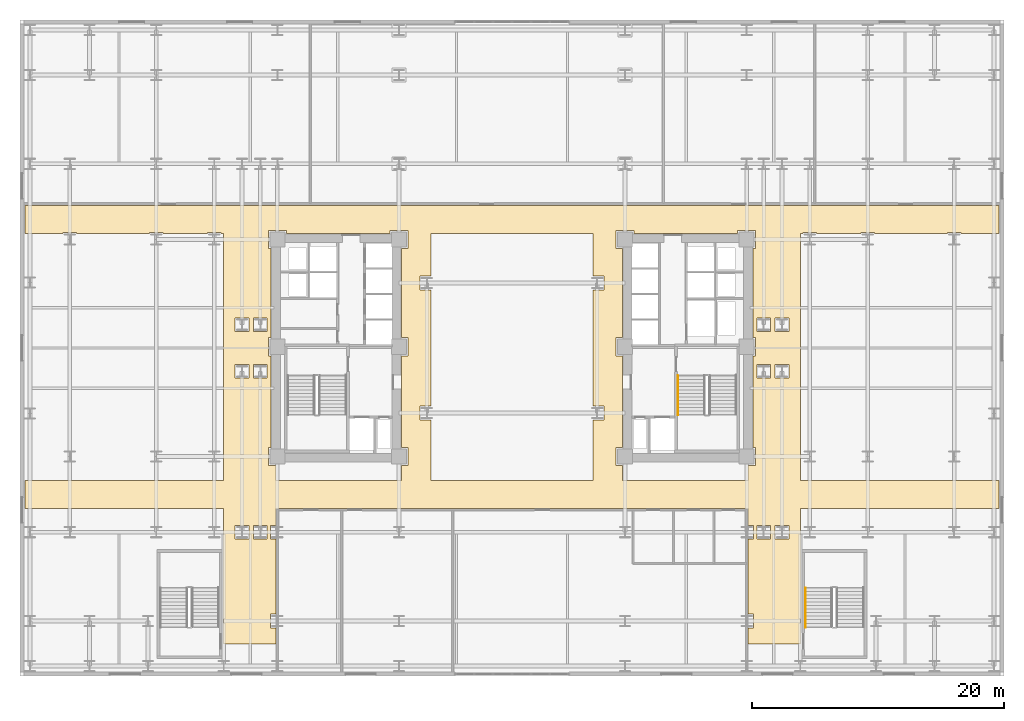
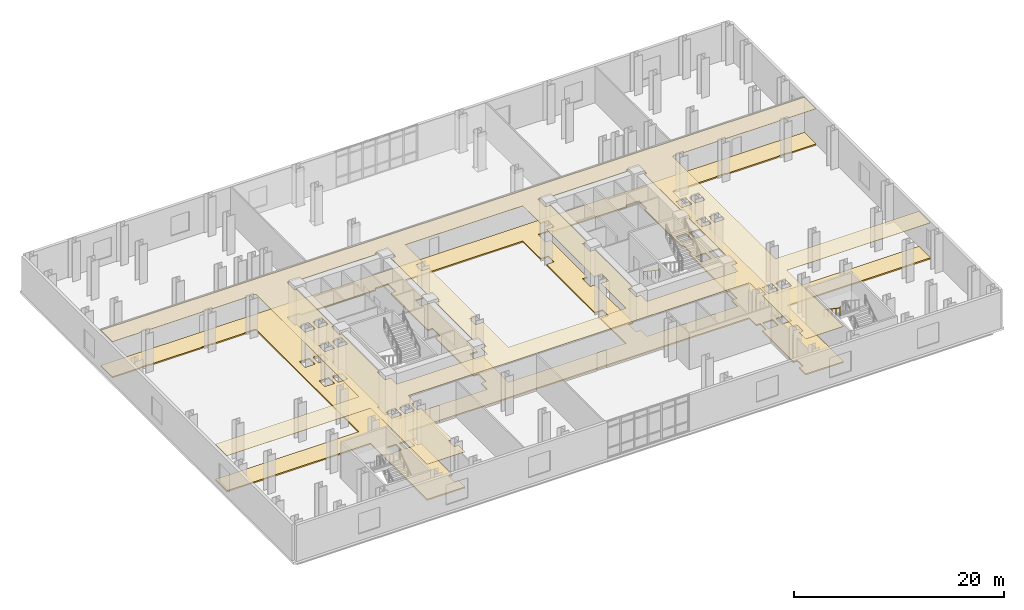
# One storey, part 13 of 15: 2 coverings, 2 railings.
"""IFC4 building model written with IfcOpenShell, lengths in metres."""

from ifc_helpers import new_model, si_unit, direction, frame, origin, origin_2d, place, context, subcontext, project, spatial, polyline, circle, outline, extrude, material, layer, layer_set, type_object, element, save


model = new_model("IFC4")

# Units and contexts
model_context = context("Model", 3, precision=1e-05, world=origin(), true_north=direction((0.0, 1.0)))
body_context = subcontext(model_context, "Body", "Model", "MODEL_VIEW")
ifc_project = project(units=[si_unit("LENGTHUNIT", "METRE"), si_unit("AREAUNIT", "SQUARE_METRE"), si_unit("VOLUMEUNIT", "CUBIC_METRE"), si_unit("PLANEANGLEUNIT", "RADIAN"), si_unit("MASSUNIT", "GRAM", prefix="KILO")], contexts=[model_context])

# Site, building, storey
site_placement = place(None, origin())
site = spatial("IfcSite", under=ifc_project, at=site_placement, CompositionType="ELEMENT")
building_placement = place(site_placement, origin())
building = spatial("IfcBuilding", under=site, at=building_placement, Name="Velakula Bourse", CompositionType="ELEMENT")
storey_placement = place(building_placement, frame((0.0, 0.0, 14.10009765625)))
storey = spatial("IfcBuildingStorey", under=building, at=storey_placement, Name="L03", CompositionType="ELEMENT", Elevation=14.10009765625)

# Coverings
ifc_material_1 = material(Name="Mineral-fibre acoustic suspended ceiling tile", Category="mineral")
ifc_layer_1 = layer(ifc_material_1, 0.0400390625, Name="Mineral-fibre acoustic suspended ceiling tile", Category="mineral")
ifc_layer_set_1 = layer_set([ifc_layer_1], Name="Mineral-fibre acoustic suspended ceiling tile")
covering_type_1 = type_object("IfcCoveringType", Name="COV-CEIL-AC-40", PredefinedType="CEILING", material=ifc_layer_set_1)
covering_1_placement = place(storey_placement, frame((0.0, 0.0, 4.179931640625)))
element("IfcCovering", 1, at=covering_1_placement, inside=storey, type_object=covering_type_1, Name="L03 L03 Station Podium Concourse Corridor Acoustic Suspended Ceiling", PredefinedType="CEILING", context=body_context, shape_type="SweptSolid", body=[
    extrude(outline(polyline([(-22.860107421875, -10.489990234375), (-22.860107421875, 9.090087890625), (-23.054931640625, 9.090087890625), (-23.054931640625, 9.14501953125), (-24.14501953125, 9.14501953125), (-24.14501953125, 9.090087890625), (-27.655029296875, 9.090087890625), (-27.655029296875, 9.14501953125), (-28.7451171875, 9.14501953125), (-28.7451171875, 9.090087890625), (-34.5048828125, 9.090087890625), (-34.5048828125, 9.14501953125), (-35.594970703125, 9.14501953125), (-35.594970703125, 9.090087890625), (-38.6201171875, 9.090087890625), (-38.6201171875, 11.31005859375), (38.6201171875, 11.31005859375), (38.6201171875, 9.090087890625), (35.594970703125, 9.090087890625), (35.594970703125, 9.14501953125), (34.5048828125, 9.14501953125), (34.5048828125, 9.090087890625), (28.7451171875, 9.090087890625), (28.7451171875, 9.14501953125), (27.655029296875, 9.14501953125), (27.655029296875, 9.090087890625), (24.14501953125, 9.090087890625), (24.14501953125, 9.14501953125), (23.054931640625, 9.14501953125), (23.054931640625, 9.090087890625), (22.860107421875, 9.090087890625), (22.860107421875, -10.489990234375), (38.6201171875, -10.489990234375), (38.6201171875, -12.7099609375), (22.860107421875, -12.7099609375), (22.860107421875, -23.4599609375), (18.7099609375, -23.4599609375), (18.7099609375, -22.195068359375), (19.14501953125, -22.195068359375), (19.14501953125, -21.10498046875), (18.7099609375, -21.10498046875), (18.7099609375, -15.14501953125), (19.14501953125, -15.14501953125), (19.14501953125, -14.054931640625), (18.7099609375, -14.054931640625), (18.7099609375, -12.7099609375), (-18.7099609375, -12.7099609375), (-18.7099609375, -14.054931640625), (-19.14501953125, -14.054931640625), (-19.14501953125, -15.14501953125), (-18.7099609375, -15.14501953125), (-18.7099609375, -21.10498046875), (-19.14501953125, -21.10498046875), (-19.14501953125, -22.195068359375), (-18.7099609375, -22.195068359375), (-18.7099609375, -23.4599609375), (-22.860107421875, -23.4599609375), (-22.860107421875, -12.7099609375), (-38.6201171875, -12.7099609375), (-38.6201171875, -10.489990234375), (-22.860107421875, -10.489990234375)]), holes=[polyline([(19.090087890625, -0.6201171875), (19.320068359375, -0.6201171875), (19.320068359375, 0.820068359375), (19.090087890625, 0.820068359375), (19.090087890625, 7.8798828125), (19.320068359375, 7.8798828125), (19.320068359375, 9.320068359375), (17.8798828125, 9.320068359375), (17.8798828125, 9.090087890625), (9.669921875, 9.090087890625), (9.669921875, 9.320068359375), (8.22998046875, 9.320068359375), (8.22998046875, 7.8798828125), (8.760009765625, 7.8798828125), (8.760009765625, 0.820068359375), (8.22998046875, 0.820068359375), (8.22998046875, -0.6201171875), (8.760009765625, -0.6201171875), (8.760009765625, -7.8798828125), (8.22998046875, -7.8798828125), (8.22998046875, -9.320068359375), (8.760009765625, -9.320068359375), (8.760009765625, -10.489990234375), (18.7099609375, -10.489990234375), (18.7099609375, -9.320068359375), (19.320068359375, -9.320068359375), (19.320068359375, -7.8798828125), (19.090087890625, -7.8798828125), (19.090087890625, -0.6201171875)]), polyline([(-6.43994140625, 9.090087890625), (-6.43994140625, 5.695068359375), (-7.294921875, 5.695068359375), (-7.294921875, 4.60498046875), (-6.43994140625, 4.60498046875), (-6.43994140625, -4.60498046875), (-7.294921875, -4.60498046875), (-7.294921875, -5.695068359375), (-6.43994140625, -5.695068359375), (-6.43994140625, -10.489990234375), (6.43994140625, -10.489990234375), (6.43994140625, -5.695068359375), (7.294921875, -5.695068359375), (7.294921875, -4.60498046875), (6.43994140625, -4.60498046875), (6.43994140625, 4.60498046875), (7.294921875, 4.60498046875), (7.294921875, 5.695068359375), (6.43994140625, 5.695068359375), (6.43994140625, 9.090087890625), (-6.43994140625, 9.090087890625)]), polyline([(-17.8798828125, 9.090087890625), (-17.8798828125, 9.320068359375), (-19.320068359375, 9.320068359375), (-19.320068359375, 7.8798828125), (-19.090087890625, 7.8798828125), (-19.090087890625, 0.820068359375), (-19.320068359375, 0.820068359375), (-19.320068359375, -0.6201171875), (-19.090087890625, -0.6201171875), (-19.090087890625, -7.8798828125), (-19.320068359375, -7.8798828125), (-19.320068359375, -9.320068359375), (-18.7099609375, -9.320068359375), (-18.7099609375, -10.489990234375), (-8.760009765625, -10.489990234375), (-8.760009765625, -9.320068359375), (-8.22998046875, -9.320068359375), (-8.22998046875, -7.8798828125), (-8.760009765625, -7.8798828125), (-8.760009765625, -0.6201171875), (-8.22998046875, -0.6201171875), (-8.22998046875, 0.820068359375), (-8.760009765625, 0.820068359375), (-8.760009765625, 7.8798828125), (-8.22998046875, 7.8798828125), (-8.22998046875, 9.320068359375), (-9.669921875, 9.320068359375), (-9.669921875, 9.090087890625), (-17.8798828125, 9.090087890625)]), polyline([(-21.945068359375, -14.054931640625), (-21.945068359375, -15.14501953125), (-20.85498046875, -15.14501953125), (-20.85498046875, -14.054931640625), (-21.945068359375, -14.054931640625)]), polyline([(-20.4951171875, -14.054931640625), (-20.4951171875, -15.14501953125), (-19.405029296875, -15.14501953125), (-19.405029296875, -14.054931640625), (-20.4951171875, -14.054931640625)]), polyline([(-20.4951171875, -1.304931640625), (-20.4951171875, -2.39501953125), (-19.405029296875, -2.39501953125), (-19.405029296875, -1.304931640625), (-20.4951171875, -1.304931640625)]), polyline([(-21.945068359375, -2.39501953125), (-20.85498046875, -2.39501953125), (-20.85498046875, -1.304931640625), (-21.945068359375, -1.304931640625), (-21.945068359375, -2.39501953125)]), polyline([(-20.4951171875, 2.39501953125), (-20.4951171875, 1.304931640625), (-19.405029296875, 1.304931640625), (-19.405029296875, 2.39501953125), (-20.4951171875, 2.39501953125)]), polyline([(-21.945068359375, 2.39501953125), (-21.945068359375, 1.304931640625), (-20.85498046875, 1.304931640625), (-20.85498046875, 2.39501953125), (-21.945068359375, 2.39501953125)]), polyline([(19.405029296875, -14.054931640625), (19.405029296875, -15.14501953125), (20.4951171875, -15.14501953125), (20.4951171875, -14.054931640625), (19.405029296875, -14.054931640625)]), polyline([(20.85498046875, -14.054931640625), (20.85498046875, -15.14501953125), (21.945068359375, -15.14501953125), (21.945068359375, -14.054931640625), (20.85498046875, -14.054931640625)]), polyline([(19.405029296875, -1.304931640625), (19.405029296875, -2.39501953125), (20.4951171875, -2.39501953125), (20.4951171875, -1.304931640625), (19.405029296875, -1.304931640625)]), polyline([(20.85498046875, -1.304931640625), (20.85498046875, -2.39501953125), (21.945068359375, -2.39501953125), (21.945068359375, -1.304931640625), (20.85498046875, -1.304931640625)]), polyline([(20.85498046875, 2.39501953125), (20.85498046875, 1.304931640625), (21.945068359375, 1.304931640625), (21.945068359375, 2.39501953125), (20.85498046875, 2.39501953125)]), polyline([(19.405029296875, 2.39501953125), (19.405029296875, 1.304931640625), (20.4951171875, 1.304931640625), (20.4951171875, 2.39501953125), (19.405029296875, 2.39501953125)])]), origin(), (0.0, 0.0, 1.0), 0.0400390625),
])
ifc_material_2 = material(Name="Calcium-sulphate antistatic raised access flooring", Category="gypsum")
ifc_layer_2 = layer(ifc_material_2, 0.14990234375, Name="Calcium-sulphate antistatic raised access flooring", Category="gypsum")
ifc_layer_set_2 = layer_set([ifc_layer_2], Name="Calcium-sulphate antistatic raised access flooring")
covering_type_2 = type_object("IfcCoveringType", Name="COV-FLR-RAISED-150", PredefinedType="FLOORING", material=ifc_layer_set_2)
covering_2_placement = place(storey_placement, origin())
element("IfcCovering", 2, at=covering_2_placement, inside=storey, type_object=covering_type_2, Name="L03 L03 Station Podium Concourse Corridor Raised Trading Access Floor", PredefinedType="FLOORING", context=body_context, shape_type="SweptSolid", body=[
    extrude(outline(polyline([(-22.860107421875, -10.489990234375), (-22.860107421875, 9.090087890625), (-23.054931640625, 9.090087890625), (-23.054931640625, 9.14501953125), (-24.14501953125, 9.14501953125), (-24.14501953125, 9.090087890625), (-27.655029296875, 9.090087890625), (-27.655029296875, 9.14501953125), (-28.7451171875, 9.14501953125), (-28.7451171875, 9.090087890625), (-34.5048828125, 9.090087890625), (-34.5048828125, 9.14501953125), (-35.594970703125, 9.14501953125), (-35.594970703125, 9.090087890625), (-38.6201171875, 9.090087890625), (-38.6201171875, 11.31005859375), (38.6201171875, 11.31005859375), (38.6201171875, 9.090087890625), (35.594970703125, 9.090087890625), (35.594970703125, 9.14501953125), (34.5048828125, 9.14501953125), (34.5048828125, 9.090087890625), (28.7451171875, 9.090087890625), (28.7451171875, 9.14501953125), (27.655029296875, 9.14501953125), (27.655029296875, 9.090087890625), (24.14501953125, 9.090087890625), (24.14501953125, 9.14501953125), (23.054931640625, 9.14501953125), (23.054931640625, 9.090087890625), (22.860107421875, 9.090087890625), (22.860107421875, -10.489990234375), (38.6201171875, -10.489990234375), (38.6201171875, -12.7099609375), (22.860107421875, -12.7099609375), (22.860107421875, -23.4599609375), (18.7099609375, -23.4599609375), (18.7099609375, -22.195068359375), (19.14501953125, -22.195068359375), (19.14501953125, -21.10498046875), (18.7099609375, -21.10498046875), (18.7099609375, -15.14501953125), (19.14501953125, -15.14501953125), (19.14501953125, -14.054931640625), (18.7099609375, -14.054931640625), (18.7099609375, -12.7099609375), (-18.7099609375, -12.7099609375), (-18.7099609375, -14.054931640625), (-19.14501953125, -14.054931640625), (-19.14501953125, -15.14501953125), (-18.7099609375, -15.14501953125), (-18.7099609375, -21.10498046875), (-19.14501953125, -21.10498046875), (-19.14501953125, -22.195068359375), (-18.7099609375, -22.195068359375), (-18.7099609375, -23.4599609375), (-22.860107421875, -23.4599609375), (-22.860107421875, -12.7099609375), (-38.6201171875, -12.7099609375), (-38.6201171875, -10.489990234375), (-22.860107421875, -10.489990234375)]), holes=[polyline([(19.090087890625, -0.6201171875), (19.320068359375, -0.6201171875), (19.320068359375, 0.820068359375), (19.090087890625, 0.820068359375), (19.090087890625, 7.8798828125), (19.320068359375, 7.8798828125), (19.320068359375, 9.320068359375), (17.8798828125, 9.320068359375), (17.8798828125, 9.090087890625), (9.669921875, 9.090087890625), (9.669921875, 9.320068359375), (8.22998046875, 9.320068359375), (8.22998046875, 7.8798828125), (8.760009765625, 7.8798828125), (8.760009765625, 0.820068359375), (8.22998046875, 0.820068359375), (8.22998046875, -0.6201171875), (8.760009765625, -0.6201171875), (8.760009765625, -7.8798828125), (8.22998046875, -7.8798828125), (8.22998046875, -9.320068359375), (8.760009765625, -9.320068359375), (8.760009765625, -10.489990234375), (18.7099609375, -10.489990234375), (18.7099609375, -9.320068359375), (19.320068359375, -9.320068359375), (19.320068359375, -7.8798828125), (19.090087890625, -7.8798828125), (19.090087890625, -0.6201171875)]), polyline([(-6.43994140625, 9.090087890625), (-6.43994140625, 5.695068359375), (-7.294921875, 5.695068359375), (-7.294921875, 4.60498046875), (-6.43994140625, 4.60498046875), (-6.43994140625, -4.60498046875), (-7.294921875, -4.60498046875), (-7.294921875, -5.695068359375), (-6.43994140625, -5.695068359375), (-6.43994140625, -10.489990234375), (6.43994140625, -10.489990234375), (6.43994140625, -5.695068359375), (7.294921875, -5.695068359375), (7.294921875, -4.60498046875), (6.43994140625, -4.60498046875), (6.43994140625, 4.60498046875), (7.294921875, 4.60498046875), (7.294921875, 5.695068359375), (6.43994140625, 5.695068359375), (6.43994140625, 9.090087890625), (-6.43994140625, 9.090087890625)]), polyline([(-17.8798828125, 9.090087890625), (-17.8798828125, 9.320068359375), (-19.320068359375, 9.320068359375), (-19.320068359375, 7.8798828125), (-19.090087890625, 7.8798828125), (-19.090087890625, 0.820068359375), (-19.320068359375, 0.820068359375), (-19.320068359375, -0.6201171875), (-19.090087890625, -0.6201171875), (-19.090087890625, -7.8798828125), (-19.320068359375, -7.8798828125), (-19.320068359375, -9.320068359375), (-18.7099609375, -9.320068359375), (-18.7099609375, -10.489990234375), (-8.760009765625, -10.489990234375), (-8.760009765625, -9.320068359375), (-8.22998046875, -9.320068359375), (-8.22998046875, -7.8798828125), (-8.760009765625, -7.8798828125), (-8.760009765625, -0.6201171875), (-8.22998046875, -0.6201171875), (-8.22998046875, 0.820068359375), (-8.760009765625, 0.820068359375), (-8.760009765625, 7.8798828125), (-8.22998046875, 7.8798828125), (-8.22998046875, 9.320068359375), (-9.669921875, 9.320068359375), (-9.669921875, 9.090087890625), (-17.8798828125, 9.090087890625)]), polyline([(-21.945068359375, -14.054931640625), (-21.945068359375, -15.14501953125), (-20.85498046875, -15.14501953125), (-20.85498046875, -14.054931640625), (-21.945068359375, -14.054931640625)]), polyline([(-20.4951171875, -14.054931640625), (-20.4951171875, -15.14501953125), (-19.405029296875, -15.14501953125), (-19.405029296875, -14.054931640625), (-20.4951171875, -14.054931640625)]), polyline([(-20.4951171875, -1.304931640625), (-20.4951171875, -2.39501953125), (-19.405029296875, -2.39501953125), (-19.405029296875, -1.304931640625), (-20.4951171875, -1.304931640625)]), polyline([(-21.945068359375, -2.39501953125), (-20.85498046875, -2.39501953125), (-20.85498046875, -1.304931640625), (-21.945068359375, -1.304931640625), (-21.945068359375, -2.39501953125)]), polyline([(-20.4951171875, 2.39501953125), (-20.4951171875, 1.304931640625), (-19.405029296875, 1.304931640625), (-19.405029296875, 2.39501953125), (-20.4951171875, 2.39501953125)]), polyline([(-21.945068359375, 2.39501953125), (-21.945068359375, 1.304931640625), (-20.85498046875, 1.304931640625), (-20.85498046875, 2.39501953125), (-21.945068359375, 2.39501953125)]), polyline([(19.405029296875, -14.054931640625), (19.405029296875, -15.14501953125), (20.4951171875, -15.14501953125), (20.4951171875, -14.054931640625), (19.405029296875, -14.054931640625)]), polyline([(20.85498046875, -14.054931640625), (20.85498046875, -15.14501953125), (21.945068359375, -15.14501953125), (21.945068359375, -14.054931640625), (20.85498046875, -14.054931640625)]), polyline([(19.405029296875, -1.304931640625), (19.405029296875, -2.39501953125), (20.4951171875, -2.39501953125), (20.4951171875, -1.304931640625), (19.405029296875, -1.304931640625)]), polyline([(20.85498046875, -1.304931640625), (20.85498046875, -2.39501953125), (21.945068359375, -2.39501953125), (21.945068359375, -1.304931640625), (20.85498046875, -1.304931640625)]), polyline([(20.85498046875, 2.39501953125), (20.85498046875, 1.304931640625), (21.945068359375, 1.304931640625), (21.945068359375, 2.39501953125), (20.85498046875, 2.39501953125)]), polyline([(19.405029296875, 2.39501953125), (19.405029296875, 1.304931640625), (20.4951171875, 1.304931640625), (20.4951171875, 2.39501953125), (19.405029296875, 2.39501953125)])]), origin(), (0.0, 0.0, 1.0), 0.14990234375),
])

# Railings
ifc_material_3 = material(Name="Brushed grade 316 stainless steel", Category="steel")
railing_type = type_object("IfcRailingType", Name="RLG-STAIR-HAND-920", PredefinedType="HANDRAIL", material=ifc_material_3)
railing_1_placement = place(storey_placement, frame((13.14990234375, -2.199951171875, 0.1875)))
element("IfcRailing", 3, at=railing_1_placement, inside=storey, type_object=railing_type, Name="L03 ST-E1 stair handrail 1", PredefinedType="HANDRAIL", context=body_context, shape_type="SweptSolid", body=[
    extrude(circle(Radius=0.02099609375, at=origin_2d()), frame((0.0, 0.0, 0.89892578125), z_axis=(0.0, -0.830913701846, 0.55640131208), x_axis=(1.0, 0.0, 0.0)), (0.0, 0.0, 1.0), 3.706787109375),
    extrude(circle(Radius=0.02099609375, at=origin_2d()), frame((0.0, -3.080078125, 2.96142578125), z_axis=(0.0, -0.208833338674, 0.97795124452), x_axis=(1.0, 0.0, 0.0)), (0.0, 0.0, 1.0), 0.191650390625),
    extrude(circle(Radius=0.02099609375, at=origin_2d()), frame((0.0, -3.1201171875, 3.14892578125), z_axis=(0.0, -1.0, 0.0), x_axis=(1.0, 0.0, 0.0)), (0.0, 0.0, 1.0), 0.0048828125),
    extrude(circle(Radius=0.02099609375, at=origin_2d()), origin(), (0.0, 0.0, 1.0), 0.8779296875),
    extrude(circle(Radius=0.02099609375, at=origin_2d()), frame((0.0, -0.77001953125, 0.515625)), (0.0, 0.0, 1.0), 0.8779296875),
    extrude(circle(Radius=0.02099609375, at=origin_2d()), frame((0.0, -1.5400390625, 1.03125)), (0.0, 0.0, 1.0), 0.8779296875),
    extrude(circle(Radius=0.02099609375, at=origin_2d()), frame((0.0, -2.31005859375, 1.546875)), (0.0, 0.0, 1.0), 0.8779296875),
    extrude(circle(Radius=0.02099609375, at=origin_2d()), frame((0.0, -3.080078125, 2.0625)), (0.0, 0.0, 1.0), 0.8779296875),
    extrude(circle(Radius=0.02099609375, at=origin_2d()), frame((0.0, -3.1201171875, 2.25)), (0.0, 0.0, 1.0), 0.8779296875),
    extrude(circle(Radius=0.02099609375, at=origin_2d()), frame((0.0, -3.125, 2.25)), (0.0, 0.0, 1.0), 0.8779296875),
])
railing_2_placement = place(storey_placement, frame((23.25, -19.02001953125, 2.4375)))
element("IfcRailing", 4, at=railing_2_placement, inside=storey, type_object=railing_type, Name="L03 ST-P2 stair handrail 2", PredefinedType="HANDRAIL", context=body_context, shape_type="SweptSolid", body=[
    extrude(circle(Radius=0.02099609375, at=origin_2d()), frame((0.0, 0.0, 0.89892578125), z_axis=(0.0, -0.830913701846, 0.55640131208), x_axis=(1.0, 0.0, 0.0)), (0.0, 0.0, 1.0), 3.706787109375),
    extrude(circle(Radius=0.02099609375, at=origin_2d()), frame((0.0, -3.080078125, 2.96142578125), z_axis=(0.0, -0.20761501323, 0.97821061448), x_axis=(1.0, 0.0, 0.0)), (0.0, 0.0, 1.0), 0.191650390625),
    extrude(circle(Radius=0.02099609375, at=origin_2d()), frame((0.0, -3.119873046875, 3.14892578125), z_axis=(0.0, -1.0, 0.0), x_axis=(1.0, 0.0, 0.0)), (0.0, 0.0, 1.0), 0.005126953125),
    extrude(circle(Radius=0.02099609375, at=origin_2d()), origin(), (0.0, 0.0, 1.0), 0.8779296875),
    extrude(circle(Radius=0.02099609375, at=origin_2d()), frame((0.0, -0.77001953125, 0.515625)), (0.0, 0.0, 1.0), 0.8779296875),
    extrude(circle(Radius=0.02099609375, at=origin_2d()), frame((0.0, -1.5400390625, 1.03125)), (0.0, 0.0, 1.0), 0.8779296875),
    extrude(circle(Radius=0.02099609375, at=origin_2d()), frame((0.0, -2.31005859375, 1.546875)), (0.0, 0.0, 1.0), 0.8779296875),
    extrude(circle(Radius=0.02099609375, at=origin_2d()), frame((0.0, -3.080078125, 2.0625)), (0.0, 0.0, 1.0), 0.8779296875),
    extrude(circle(Radius=0.02099609375, at=origin_2d()), frame((0.0, -3.119873046875, 2.25)), (0.0, 0.0, 1.0), 0.8779296875),
    extrude(circle(Radius=0.02099609375, at=origin_2d()), frame((0.0, -3.125, 2.25)), (0.0, 0.0, 1.0), 0.8779296875),
])

save(model, "model.ifc")
